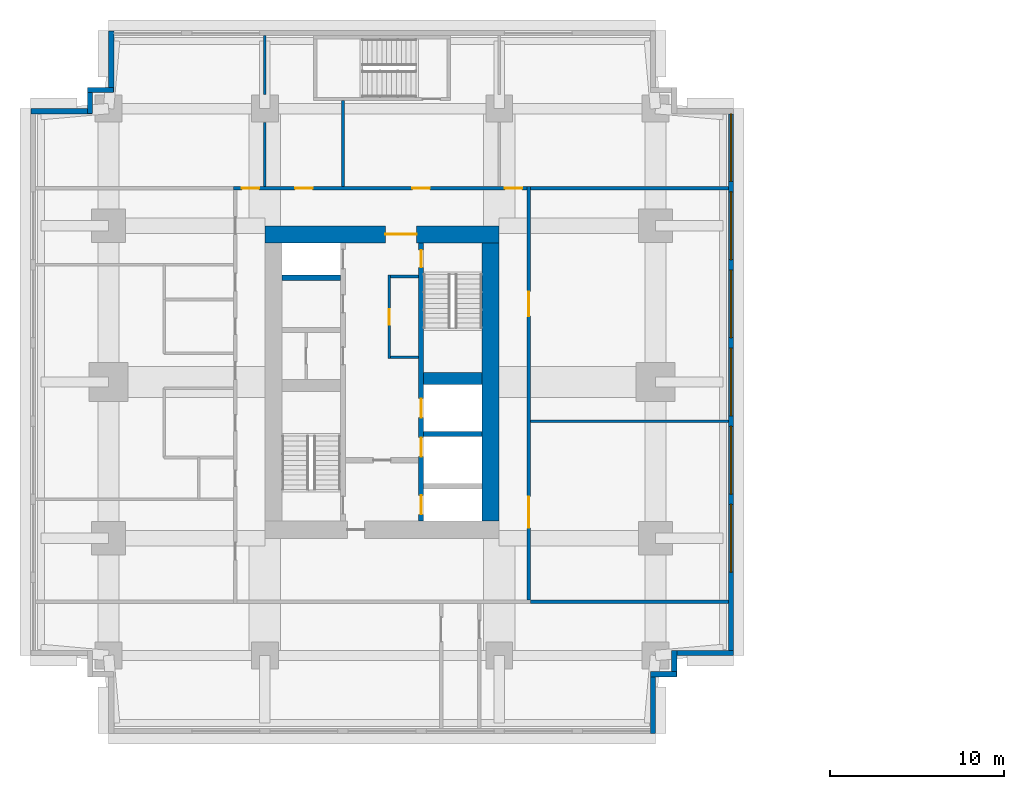
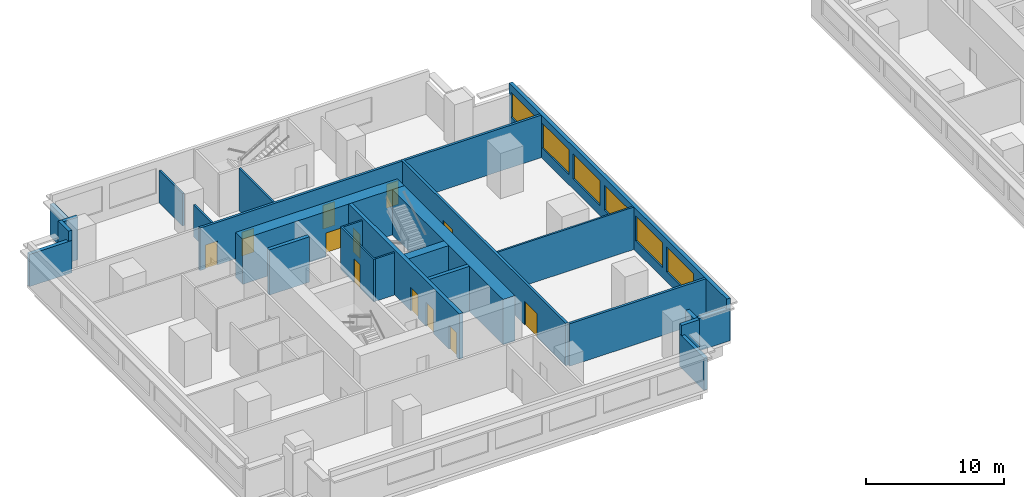
# One storey, part 4 of 11: 26 walls, 12 doors, 6 windows, 18 openings.
"""IFC4 building model written with IfcOpenShell, lengths in metres."""

import ifcopenshell
import ifcopenshell.guid

model = None  # the IFC model being written
_history = None  # IfcOwnerHistory: only IFC2X3 demands one
_inside = {}  # id of a spatial element -> (the spatial element, [elements in it])
_under = {}  # id of a project, library or spatial element -> (it, [spatial elements below it])
_declared = {}  # id of a project -> (the project, [libraries it declares])
_typed = {}  # id of a type object -> (the type object, [elements of that type])
_made_of = {}  # id of a material, layer set ... -> (it, [elements and type objects made of it])


def new_model(schema):
    """Start an empty IFC model of exactly this schema.

    Asked for "IFC4X3", IfcOpenShell would pick the latest addendum, in which some entities
    have other attributes; the version numbers below select the first issue.
    IFC2X3 requires an IfcOwnerHistory on every rooted entity: one is made here for all.
    """
    global model, _history
    if schema == "IFC4X3":
        model = ifcopenshell.file(schema_version=(4, 3, 0, 0))
    else:
        model = ifcopenshell.file(schema=schema)
    _inside.clear()
    _under.clear()
    _declared.clear()
    _typed.clear()
    _made_of.clear()
    _history = None
    if model.schema == "IFC2X3":
        org = make("IfcOrganization", Name="unknown")
        user = make(
            "IfcPersonAndOrganization",
            ThePerson=make("IfcPerson", FamilyName="unknown"),
            TheOrganization=org,
        )
        app = make(
            "IfcApplication",
            ApplicationDeveloper=org,
            Version="unknown",
            ApplicationFullName="unknown",
            ApplicationIdentifier="unknown",
        )
        _history = make(
            "IfcOwnerHistory",
            OwningUser=user,
            OwningApplication=app,
            ChangeAction="ADDED",
            CreationDate=0,
        )
    return model


def make(cls, **values):
    """One entity of the class cls with the attributes given. An attribute that is None is left unset."""
    return model.create_entity(
        cls, **{name: value for name, value in values.items() if value is not None}
    )


def rooted(cls, **values):
    """An entity with a GlobalId (a new one), such as an element, a storey or a relation."""
    return make(cls, GlobalId=ifcopenshell.guid.new(), OwnerHistory=_history, **values)


def si_unit(unit_type, name, prefix=None):
    """IfcSIUnit, for example si_unit("LENGTHUNIT", "METRE", prefix="MILLI")."""
    return make("IfcSIUnit", UnitType=unit_type, Prefix=prefix, Name=name)


def assignment(units):
    """IfcUnitAssignment: the units of a project."""
    return None if units is None else make("IfcUnitAssignment", Units=units)


def point(xyz):
    """IfcCartesianPoint."""
    return None if xyz is None else make("IfcCartesianPoint", Coordinates=xyz)


def direction(xyz):
    """IfcDirection."""
    return None if xyz is None else make("IfcDirection", DirectionRatios=xyz)


def frame(location, z_axis=None, x_axis=None):
    """IfcAxis2Placement3D, a coordinate frame: its origin and axes. An axis left out is left unset."""
    return make(
        "IfcAxis2Placement3D",
        Location=point(location),
        Axis=direction(z_axis),
        RefDirection=direction(x_axis),
    )


def frame_2d(location, x_axis=None):
    """IfcAxis2Placement2D, a coordinate frame in the plane: its origin and x axis."""
    return make(
        "IfcAxis2Placement2D", Location=point(location), RefDirection=direction(x_axis)
    )


def origin():
    """The frame at (0, 0, 0) with its axes left unset."""
    return frame((0.0, 0.0, 0.0))


def place(relative_to, where):
    """IfcLocalPlacement: puts the frame where relative to a parent placement (None: the world)."""
    return make(
        "IfcLocalPlacement", PlacementRelTo=relative_to, RelativePlacement=where
    )


def context(
    kind, dimensions, precision=None, world=None, true_north=None, identifier=None
):
    """IfcGeometricRepresentationContext, for example the 3D "Model" context."""
    return make(
        "IfcGeometricRepresentationContext",
        ContextIdentifier=identifier,
        ContextType=kind,
        CoordinateSpaceDimension=dimensions,
        Precision=precision,
        WorldCoordinateSystem=world,
        TrueNorth=true_north,
    )


def subcontext(parent, identifier, kind, view, scale=None):
    """IfcGeometricRepresentationSubContext, for example "Body" below "Model"."""
    return make(
        "IfcGeometricRepresentationSubContext",
        ContextIdentifier=identifier,
        ContextType=kind,
        ParentContext=parent,
        TargetScale=scale,
        TargetView=view,
    )


def project(units=None, contexts=None):
    """IfcProject with its units and contexts."""
    return rooted(
        "IfcProject",
        Name="project",
        RepresentationContexts=contexts,
        UnitsInContext=assignment(units),
    )


def spatial(cls, under=None, at=None, **own):
    """A site, building, storey or space (cls), placed at a placement, below another one or the project."""
    s = rooted(cls, ObjectPlacement=at, **own)
    if under is not None:
        _under.setdefault(under.id(), (under, []))[1].append(s)
    return s


def profile(cls, at=None, kind="AREA", **sizes):
    """A parametric profile (cls). Its sizes go by their IFC names, for example OverallWidth=200.0."""
    return make(cls, ProfileType=kind, Position=at, **sizes)


def rectangle(**sizes):
    """IfcRectangleProfileDef."""
    return profile("IfcRectangleProfileDef", **sizes)


def extrude(swept, where, along, depth):
    """IfcExtrudedAreaSolid: the profile swept, set in the frame where, extruded along a direction by depth."""
    return make(
        "IfcExtrudedAreaSolid",
        SweptArea=swept,
        Position=where,
        ExtrudedDirection=direction(along),
        Depth=depth,
    )


def shape(context_of_items, identifier, shape_type, items):
    """IfcShapeRepresentation: the items that make up one representation, for example the "Body"."""
    return make(
        "IfcShapeRepresentation",
        ContextOfItems=context_of_items,
        RepresentationIdentifier=identifier,
        RepresentationType=shape_type,
        Items=items,
    )


def material(Name=None, Category=None):
    """IfcMaterial."""
    return make("IfcMaterial", Name=Name, Category=Category)


def layer(
    of_material, thickness, ventilated=None, Name=None, Category=None, Priority=None
):
    """IfcMaterialLayer: one layer of a wall or slab, of a material (None: an air gap)."""
    return make(
        "IfcMaterialLayer",
        Material=of_material,
        LayerThickness=thickness,
        IsVentilated=ventilated,
        Name=Name,
        Category=Category,
        Priority=Priority,
    )


def layer_set(layers, Name=None):
    """IfcMaterialLayerSet."""
    return make("IfcMaterialLayerSet", MaterialLayers=layers, LayerSetName=Name)


def made_of(thing, what):
    """Note that an element or type object is made of a material, layer set ...; save() writes the relation."""
    if what is not None:
        _made_of.setdefault(what.id(), (what, []))[1].append(thing)
    return thing


def type_object(cls, material=None, **own):
    """A type object (cls), such as IfcWallType, which elements share."""
    return made_of(rooted(cls, **own), material)


def element(
    cls,
    number,
    at=None,
    inside=None,
    cuts=None,
    type_object=None,
    material=None,
    context=None,
    identifier="Body",
    shape_type=None,
    held_by="IfcProductDefinitionShape",
    body=None,
    shapes=None,
    **own,
):
    """One element of the class cls, such as IfcWall. Its Tag is "e" and its number.

    at: its placement. inside: the storey or other place that contains it. cuts: it is an
    opening in that element (IfcRelVoidsElement). A single representation is given by context,
    identifier, shape_type and body (its items); several are given by shapes. held_by: the class
    of the entity that holds the representations. save() writes the other relations.
    """
    e = rooted(cls, Tag="e%d" % number, ObjectPlacement=at, **own)
    if body is not None:
        shapes = [shape(context, identifier, shape_type, body)]
    if shapes is not None:
        e.Representation = make(held_by, Representations=shapes)
    if inside is not None:
        _inside.setdefault(inside.id(), (inside, []))[1].append(e)
    if cuts is not None:
        rooted(
            "IfcRelVoidsElement", RelatingBuildingElement=cuts, RelatedOpeningElement=e
        )
    if type_object is not None:
        _typed.setdefault(type_object.id(), (type_object, []))[1].append(e)
    return made_of(e, material)


def fill(opening, filler):
    """IfcRelFillsElement: the door or window that sits in an opening."""
    return rooted(
        "IfcRelFillsElement",
        RelatingOpeningElement=opening,
        RelatedBuildingElement=filler,
    )


def aggregate(whole, parts):
    """IfcRelAggregates: a whole, such as a stair, and the parts it consists of."""
    return rooted("IfcRelAggregates", RelatingObject=whole, RelatedObjects=parts)


def save(model, path):
    """Write the relations noted so far, then the file.

    IfcRelAggregates (storeys below a building ...), IfcRelContainedInSpatialStructure (elements
    in a storey), IfcRelDefinesByType, IfcRelAssociatesMaterial and IfcRelDeclares: one each for
    every whole, place, type object, material and project.
    """
    for whole, parts in _under.values():
        aggregate(whole, parts)
    for where, things in _inside.values():
        rooted(
            "IfcRelContainedInSpatialStructure",
            RelatedElements=things,
            RelatingStructure=where,
        )
    for kind, things in _typed.values():
        rooted("IfcRelDefinesByType", RelatedObjects=things, RelatingType=kind)
    for what, things in _made_of.values():
        rooted("IfcRelAssociatesMaterial", RelatedObjects=things, RelatingMaterial=what)
    for by, libraries in _declared.values():
        rooted("IfcRelDeclares", RelatingContext=by, RelatedDefinitions=libraries)
    model.write(path)


model = new_model("IFC4")

# Units and contexts
model_context = context("Model", 3, precision=1e-05, world=origin(), true_north=direction((0.0, 1.0)))
body_context = subcontext(model_context, "Body", "Model", "MODEL_VIEW")
ifc_project = project(units=[si_unit("LENGTHUNIT", "METRE"), si_unit("AREAUNIT", "SQUARE_METRE"), si_unit("VOLUMEUNIT", "CUBIC_METRE"), si_unit("PLANEANGLEUNIT", "RADIAN"), si_unit("MASSUNIT", "GRAM", prefix="KILO")], contexts=[model_context])

# Site, building, storey
site_placement = place(None, origin())
site = spatial("IfcSite", under=ifc_project, at=site_placement, CompositionType="ELEMENT")
building_placement = place(site_placement, origin())
building = spatial("IfcBuilding", under=site, at=building_placement, Name="Namib Vertical Campus", CompositionType="ELEMENT")
storey_placement = place(building_placement, frame((0.0, 0.0, 209.0)))
storey = spatial("IfcBuildingStorey", under=building, at=storey_placement, Name="L49", CompositionType="ELEMENT", Elevation=209.0)

# Wall, openings, doors
ifc_material_1 = material(Name="Concrete C60/75", Category="concrete")
ifc_layer_1 = layer(ifc_material_1, 0.300048828125)
ifc_layer_set_1 = layer_set([ifc_layer_1], Name="Concrete C60/75")
wall_type_1 = type_object("IfcWallType", Name="Core inner wall 300", PredefinedType="SHEAR", material=ifc_layer_set_1)
wall_1_placement = place(storey_placement, frame((22.5, 12.25, 0.0), z_axis=(0.0, 0.0, 1.0), x_axis=(0.0, 1.0, 0.0)))
wall_1 = element("IfcWall", 1, at=wall_1_placement, inside=storey, type_object=wall_type_1, Name="Core inner wall A L49 W2", PredefinedType="SHEAR", context=body_context, shape_type="SweptSolid", body=[
    extrude(rectangle(XDim=16.0, YDim=0.300048828125, at=frame_2d((8.0, 0.0))), origin(), (0.0, 0.0, 1.0), 4.0),
])
opening_1_placement = place(wall_1_placement, frame((14.60009765625, 0.0, 0.0)))
opening_1 = element("IfcOpeningElement", 2, at=opening_1_placement, cuts=wall_1, Name="Opening FD1", PredefinedType="OPENING", context=body_context, shape_type="SweptSolid", body=[
    extrude(rectangle(XDim=1.0, YDim=2.10009765625, at=frame_2d((0.5, 1.050048828125))), frame((0.0, 0.159912109375, 0.0), z_axis=(0.0, -1.0, 0.0), x_axis=(1.0, 0.0, 0.0)), (0.0, 0.0, 1.0), 0.320068359375),
])
opening_2_placement = place(wall_1_placement, frame((0.375, 0.0, 0.0)))
opening_2 = element("IfcOpeningElement", 3, at=opening_2_placement, cuts=wall_1, Name="Opening LD1", PredefinedType="OPENING", context=body_context, shape_type="SweptSolid", body=[
    extrude(rectangle(XDim=1.10009765625, YDim=2.10009765625, at=frame_2d((0.550048828125, 1.050048828125))), frame((0.0, 0.159912109375, 0.0), z_axis=(0.0, -1.0, 0.0), x_axis=(1.0, 0.0, 0.0)), (0.0, 0.0, 1.0), 0.320068359375),
])
opening_3_placement = place(wall_1_placement, frame((3.699951171875, 0.0, 0.0)))
opening_3 = element("IfcOpeningElement", 4, at=opening_3_placement, cuts=wall_1, Name="Opening LD1", PredefinedType="OPENING", context=body_context, shape_type="SweptSolid", body=[
    extrude(rectangle(XDim=1.10009765625, YDim=2.10009765625, at=frame_2d((0.550048828125, 1.050048828125))), frame((0.0, 0.159912109375, 0.0), z_axis=(0.0, -1.0, 0.0), x_axis=(1.0, 0.0, 0.0)), (0.0, 0.0, 1.0), 0.320068359375),
])
opening_4_placement = place(wall_1_placement, frame((5.949951171875, 0.0, 0.0)))
opening_4 = element("IfcOpeningElement", 5, at=opening_4_placement, cuts=wall_1, Name="Opening LD1", PredefinedType="OPENING", context=body_context, shape_type="SweptSolid", body=[
    extrude(rectangle(XDim=1.10009765625, YDim=2.10009765625, at=frame_2d((0.550048828125, 1.050048828125))), frame((0.0, 0.159912109375, 0.0), z_axis=(0.0, -1.0, 0.0), x_axis=(1.0, 0.0, 0.0)), (0.0, 0.0, 1.0), 0.320068359375),
])
ifc_material_2 = material(Name="Steel fire door", Category="steel")
door_type_1 = type_object("IfcDoorType", Name="Fire door 1000x2100", OperationType="SINGLE_SWING_RIGHT", PredefinedType="DOOR", material=ifc_material_2)
door_1_placement = place(opening_1_placement, frame((1.0, 0.0, 0.0), z_axis=(0.0, 0.0, 1.0), x_axis=(-1.0, 0.0, 0.0)))
door_1 = element("IfcDoor", 6, at=door_1_placement, inside=storey, type_object=door_type_1, Name="Stair door FD1 A L49 S2", OperationType="SINGLE_SWING_LEFT", OverallHeight=2.10009765625, OverallWidth=1.0, PredefinedType="DOOR", context=body_context, shape_type="SweptSolid", body=[
    extrude(rectangle(XDim=1.0, YDim=2.10009765625, at=frame_2d((0.5, 1.050048828125))), frame((0.0, 0.02490234375, 0.0), z_axis=(0.0, -1.0, 0.0), x_axis=(1.0, 0.0, 0.0)), (0.0, 0.0, 1.0), 0.050048828125),
])
fill(opening_1, door_1)
ifc_material_3 = material(Name="Stainless steel lift door", Category="steel")
door_type_2 = type_object("IfcDoorType", Name="Lift landing door 1100x2100", OperationType="DOUBLE_DOOR_SLIDING", PredefinedType="DOOR", material=ifc_material_3)
door_2_placement = place(opening_2_placement, origin())
door_2 = element("IfcDoor", 7, at=door_2_placement, inside=storey, type_object=door_type_2, Name="Lift landing door LD1 A-FL1 L49", OperationType="DOUBLE_DOOR_SLIDING", OverallHeight=2.10009765625, OverallWidth=1.10009765625, PredefinedType="DOOR", context=body_context, shape_type="SweptSolid", body=[
    extrude(rectangle(XDim=1.10009765625, YDim=2.10009765625, at=frame_2d((0.550048828125, 1.050048828125))), frame((0.0, 0.02490234375, 0.0), z_axis=(0.0, -1.0, 0.0), x_axis=(1.0, 0.0, 0.0)), (0.0, 0.0, 1.0), 0.050048828125),
])
fill(opening_2, door_2)
door_3_placement = place(opening_3_placement, origin())
door_3 = element("IfcDoor", 8, at=door_3_placement, inside=storey, type_object=door_type_2, Name="Lift landing door LD1 A-P4 L49", OperationType="DOUBLE_DOOR_SLIDING", OverallHeight=2.10009765625, OverallWidth=1.10009765625, PredefinedType="DOOR", context=body_context, shape_type="SweptSolid", body=[
    extrude(rectangle(XDim=1.10009765625, YDim=2.10009765625, at=frame_2d((0.550048828125, 1.050048828125))), frame((0.0, 0.02490234375, 0.0), z_axis=(0.0, -1.0, 0.0), x_axis=(1.0, 0.0, 0.0)), (0.0, 0.0, 1.0), 0.050048828125),
])
fill(opening_3, door_3)
door_4_placement = place(opening_4_placement, origin())
door_4 = element("IfcDoor", 9, at=door_4_placement, inside=storey, type_object=door_type_2, Name="Lift landing door LD1 A-P5 L49", OperationType="DOUBLE_DOOR_SLIDING", OverallHeight=2.10009765625, OverallWidth=1.10009765625, PredefinedType="DOOR", context=body_context, shape_type="SweptSolid", body=[
    extrude(rectangle(XDim=1.10009765625, YDim=2.10009765625, at=frame_2d((0.550048828125, 1.050048828125))), frame((0.0, 0.02490234375, 0.0), z_axis=(0.0, -1.0, 0.0), x_axis=(1.0, 0.0, 0.0)), (0.0, 0.0, 1.0), 0.050048828125),
])
fill(opening_4, door_4)

# Walls
for number, where, z_axis, x_axis, name in (
    (10, (22.64990234375, 17.25, 0.0), (0.0, 0.0, 1.0), (1.0, 0.0, 0.0), "Core inner wall A L49 W6"),
    (11, (14.5, 26.25, 0.0), (0.0, 0.0, 1.0), (1.0, 0.0, 0.0), "Core inner wall A L49 W9"),
):
    element("IfcWall", number, at=place(storey_placement, frame(where, z_axis=z_axis, x_axis=x_axis)), inside=storey, type_object=wall_type_1, Name=name, PredefinedType="SHEAR", context=body_context, shape_type="SweptSolid", body=[
        extrude(rectangle(XDim=3.35009765625, YDim=0.300048828125, at=frame_2d((1.675048828125, 0.0))), origin(), (0.0, 0.0, 1.0), 4.0),
    ])
ifc_material_4 = material(Name="Concrete C60/75", Category="concrete")
ifc_layer_2 = layer(ifc_material_4, 0.699951171875)
ifc_layer_set_2 = layer_set([ifc_layer_2], Name="Concrete C60/75")
wall_type_2 = type_object("IfcWallType", Name="Core shear wall 700", PredefinedType="SHEAR", material=ifc_layer_set_2)
wall_2_placement = place(storey_placement, frame((22.64990234375, 20.449951171875, 0.0), z_axis=(0.0, 0.0, 1.0), x_axis=(1.0, 0.0, 0.0)))
element("IfcWall", 12, at=wall_2_placement, inside=storey, type_object=wall_type_2, Name="Core shear wall A L49 W7", PredefinedType="SHEAR", context=body_context, shape_type="SweptSolid", body=[
    extrude(rectangle(XDim=3.35009765625, YDim=0.699951171875, at=frame_2d((1.675048828125, 0.0))), origin(), (0.0, 0.0, 1.0), 4.0),
])
ifc_material_5 = material(Name="Concrete C60/75", Category="concrete")
ifc_layer_3 = layer(ifc_material_5, 1.0)
ifc_layer_set_3 = layer_set([ifc_layer_3], Name="Concrete C60/75")
wall_type_3 = type_object("IfcWallType", Name="Core wall 1000", PredefinedType="SHEAR", material=ifc_layer_set_3)
wall_3_placement = place(storey_placement, frame((26.5, 12.25, 0.0), z_axis=(0.0, 0.0, 1.0), x_axis=(0.0, 1.0, 0.0)))
element("IfcWall", 13, at=wall_3_placement, inside=storey, type_object=wall_type_3, Name="Core wall A L49 2", PredefinedType="SHEAR", context=body_context, shape_type="SweptSolid", body=[
    extrude(rectangle(XDim=16.0, YDim=1.0, at=frame_2d((8.0, 0.0))), origin(), (0.0, 0.0, 1.0), 4.0),
])

# Wall, opening, door
wall_4_placement = place(storey_placement, frame((27.0, 28.75, 0.0), z_axis=(0.0, 0.0, 1.0), x_axis=(-1.0, 0.0, 0.0)))
wall_4 = element("IfcWall", 14, at=wall_4_placement, inside=storey, type_object=wall_type_3, Name="Core wall A L49 3", PredefinedType="SHEAR", context=body_context, shape_type="SweptSolid", body=[
    extrude(rectangle(XDim=13.5, YDim=1.0, at=frame_2d((6.75, 0.0))), origin(), (0.0, 0.0, 1.0), 4.0),
])
opening_5_placement = place(wall_4_placement, frame((4.75, 0.0, 0.0)))
opening_5 = element("IfcOpeningElement", 15, at=opening_5_placement, cuts=wall_4, Name="Opening FD2", PredefinedType="OPENING", context=body_context, shape_type="SweptSolid", body=[
    extrude(rectangle(XDim=1.800048828125, YDim=2.10009765625, at=frame_2d((0.89990234375, 1.050048828125))), frame((0.0, 0.510009765625, 0.0), z_axis=(0.0, -1.0, 0.0), x_axis=(1.0, 0.0, 0.0)), (0.0, 0.0, 1.0), 1.02001953125),
])
ifc_material_6 = material(Name="Steel fire door", Category="steel")
door_type_3 = type_object("IfcDoorType", Name="Fire door double 1800x2100", OperationType="DOUBLE_DOOR_SINGLE_SWING", PredefinedType="DOOR", material=ifc_material_6)
door_5_placement = place(opening_5_placement, origin())
door_5 = element("IfcDoor", 16, at=door_5_placement, inside=storey, type_object=door_type_3, Name="Lift lobby door FD2 A L49", OperationType="DOUBLE_DOOR_SINGLE_SWING", OverallHeight=2.10009765625, OverallWidth=1.800048828125, PredefinedType="DOOR", context=body_context, shape_type="SweptSolid", body=[
    extrude(rectangle(XDim=1.800048828125, YDim=2.10009765625, at=frame_2d((0.89990234375, 1.050048828125))), frame((0.0, 0.02490234375, 0.0), z_axis=(0.0, -1.0, 0.0), x_axis=(1.0, 0.0, 0.0)), (0.0, 0.0, 1.0), 0.050048828125),
])
fill(opening_5, door_5)

# Wall, openings, doors
ifc_material_7 = material(Name="Concrete masonry", Category="masonry")
ifc_layer_4 = layer(ifc_material_7, 0.199951171875)
ifc_layer_set_4 = layer_set([ifc_layer_4], Name="Corridor wall 200")
wall_type_4 = type_object("IfcWallType", Name="Corridor wall 200", PredefinedType="SOLIDWALL", material=ifc_layer_set_4)
wall_5_placement = place(storey_placement, frame((28.699951171875, 7.699951171875, 0.0), z_axis=(0.0, 0.0, 1.0), x_axis=(0.0, 1.0, 0.0)))
wall_5 = element("IfcWall", 17, at=wall_5_placement, inside=storey, type_object=wall_type_4, Name="Corridor wall A L49 CE", PredefinedType="SOLIDWALL", context=body_context, shape_type="SweptSolid", body=[
    extrude(rectangle(XDim=23.800048828125, YDim=0.199951171875, at=frame_2d((11.89990234375, 0.0))), origin(), (0.0, 0.0, 1.0), 3.75),
])
opening_6_placement = place(wall_5_placement, frame((4.14990234375, 0.0, 0.0)))
opening_6 = element("IfcOpeningElement", 18, at=opening_6_placement, cuts=wall_5, Name="Opening CD2", PredefinedType="OPENING", context=body_context, shape_type="SweptSolid", body=[
    extrude(rectangle(XDim=1.800048828125, YDim=2.10009765625, at=frame_2d((0.89990234375, 1.050048828125))), frame((0.0, 0.10986328125, 0.0), z_axis=(0.0, -1.0, 0.0), x_axis=(1.0, 0.0, 0.0)), (0.0, 0.0, 1.0), 0.219970703125),
])
opening_7_placement = place(wall_5_placement, frame((16.35009765625, 0.0, 0.0)))
opening_7 = element("IfcOpeningElement", 19, at=opening_7_placement, cuts=wall_5, Name="Opening LB1", PredefinedType="OPENING", context=body_context, shape_type="SweptSolid", body=[
    extrude(rectangle(XDim=1.39990234375, YDim=2.10009765625, at=frame_2d((0.699951171875, 1.050048828125))), frame((0.0, 0.10986328125, 0.0), z_axis=(0.0, -1.0, 0.0), x_axis=(1.0, 0.0, 0.0)), (0.0, 0.0, 1.0), 0.219970703125),
])
ifc_material_8 = material(Name="Timber fire door leaf", Category="wood")
door_type_4 = type_object("IfcDoorType", Name="Corridor door double 1800x2100 20 min", OperationType="DOUBLE_DOOR_SINGLE_SWING", PredefinedType="DOOR", material=ifc_material_8)
door_6_placement = place(opening_6_placement, frame((1.800048828125, 0.0, 0.0), z_axis=(0.0, 0.0, 1.0), x_axis=(-1.0, 0.0, 0.0)))
door_6 = element("IfcDoor", 20, at=door_6_placement, inside=storey, type_object=door_type_4, Name="Door CD2 A49-03", OperationType="DOUBLE_DOOR_SINGLE_SWING", OverallHeight=2.10009765625, OverallWidth=1.800048828125, PredefinedType="DOOR", context=body_context, shape_type="SweptSolid", body=[
    extrude(rectangle(XDim=1.800048828125, YDim=2.10009765625, at=frame_2d((0.89990234375, 1.050048828125))), frame((0.0, 0.02490234375, 0.0), z_axis=(0.0, -1.0, 0.0), x_axis=(1.0, 0.0, 0.0)), (0.0, 0.0, 1.0), 0.050048828125),
])
fill(opening_6, door_6)
ifc_material_9 = material(Name="Timber fire door leaf", Category="wood")
door_type_5 = type_object("IfcDoorType", Name="Laboratory door 1400x2100 leaf and a half", OperationType="DOUBLE_DOOR_SINGLE_SWING", PredefinedType="DOOR", material=ifc_material_9)
door_7_placement = place(opening_7_placement, frame((1.39990234375, 0.0, 0.0), z_axis=(0.0, 0.0, 1.0), x_axis=(-1.0, 0.0, 0.0)))
door_7 = element("IfcDoor", 21, at=door_7_placement, inside=storey, type_object=door_type_5, Name="Door LB1 A49-04", OperationType="DOUBLE_DOOR_SINGLE_SWING", OverallHeight=2.10009765625, OverallWidth=1.39990234375, PredefinedType="DOOR", context=body_context, shape_type="SweptSolid", body=[
    extrude(rectangle(XDim=1.39990234375, YDim=2.10009765625, at=frame_2d((0.699951171875, 1.050048828125))), frame((0.0, 0.02490234375, 0.0), z_axis=(0.0, -1.0, 0.0), x_axis=(1.0, 0.0, 0.0)), (0.0, 0.0, 1.0), 0.050048828125),
])
fill(opening_7, door_7)

wall_6_placement = place(storey_placement, frame((28.60009765625, 31.39990234375, 0.0), z_axis=(0.0, 0.0, 1.0), x_axis=(-1.0, 0.0, 0.0)))
wall_6 = element("IfcWall", 22, at=wall_6_placement, inside=storey, type_object=wall_type_4, Name="Corridor wall A L49 CN", PredefinedType="SOLIDWALL", context=body_context, shape_type="SweptSolid", body=[
    extrude(rectangle(XDim=16.900146484375, YDim=0.199951171875, at=frame_2d((8.4501953125, 0.0))), origin(), (0.0, 0.0, 1.0), 3.75),
])
opening_8_placement = place(wall_6_placement, frame((15.425048828125, 0.0, 0.0)))
opening_8 = element("IfcOpeningElement", 23, at=opening_8_placement, cuts=wall_6, Name="Opening CD1", PredefinedType="OPENING", context=body_context, shape_type="SweptSolid", body=[
    extrude(rectangle(XDim=1.0, YDim=2.10009765625, at=frame_2d((0.5, 1.050048828125))), frame((0.0, 0.10986328125, 0.0), z_axis=(0.0, -1.0, 0.0), x_axis=(1.0, 0.0, 0.0)), (0.0, 0.0, 1.0), 0.219970703125),
])
opening_9_placement = place(wall_6_placement, frame((12.35009765625, 0.0, 0.0)))
opening_9 = element("IfcOpeningElement", 24, at=opening_9_placement, cuts=wall_6, Name="Opening CD1", PredefinedType="OPENING", context=body_context, shape_type="SweptSolid", body=[
    extrude(rectangle(XDim=1.0, YDim=2.10009765625, at=frame_2d((0.5, 1.050048828125))), frame((0.0, 0.10986328125, 0.0), z_axis=(0.0, -1.0, 0.0), x_axis=(1.0, 0.0, 0.0)), (0.0, 0.0, 1.0), 0.219970703125),
])
opening_10_placement = place(wall_6_placement, frame((5.60009765625, 0.0, 0.0)))
opening_10 = element("IfcOpeningElement", 25, at=opening_10_placement, cuts=wall_6, Name="Opening CD4", PredefinedType="OPENING", context=body_context, shape_type="SweptSolid", body=[
    extrude(rectangle(XDim=1.0, YDim=2.10009765625, at=frame_2d((0.5, 1.050048828125))), frame((0.0, 0.10986328125, 0.0), z_axis=(0.0, -1.0, 0.0), x_axis=(1.0, 0.0, 0.0)), (0.0, 0.0, 1.0), 0.219970703125),
])
opening_11_placement = place(wall_6_placement, frame((0.27490234375, 0.0, 0.0)))
opening_11 = element("IfcOpeningElement", 26, at=opening_11_placement, cuts=wall_6, Name="Opening CD1", PredefinedType="OPENING", context=body_context, shape_type="SweptSolid", body=[
    extrude(rectangle(XDim=1.0, YDim=2.10009765625, at=frame_2d((0.5, 1.050048828125))), frame((0.0, 0.10986328125, 0.0), z_axis=(0.0, -1.0, 0.0), x_axis=(1.0, 0.0, 0.0)), (0.0, 0.0, 1.0), 0.219970703125),
])
ifc_material_10 = material(Name="Timber fire door leaf", Category="wood")
door_type_6 = type_object("IfcDoorType", Name="Corridor door 1000x2100 20 min", OperationType="SINGLE_SWING_LEFT", PredefinedType="DOOR", material=ifc_material_10)
door_8_placement = place(opening_8_placement, frame((1.0, 0.0, 0.0), z_axis=(0.0, 0.0, 1.0), x_axis=(-1.0, 0.0, 0.0)))
door_8 = element("IfcDoor", 27, at=door_8_placement, inside=storey, type_object=door_type_6, Name="Door CD1 A49-05", OperationType="SINGLE_SWING_RIGHT", OverallHeight=2.10009765625, OverallWidth=1.0, PredefinedType="DOOR", context=body_context, shape_type="SweptSolid", body=[
    extrude(rectangle(XDim=1.0, YDim=2.10009765625, at=frame_2d((0.5, 1.050048828125))), frame((0.0, 0.02490234375, 0.0), z_axis=(0.0, -1.0, 0.0), x_axis=(1.0, 0.0, 0.0)), (0.0, 0.0, 1.0), 0.050048828125),
])
fill(opening_8, door_8)
door_9_placement = place(opening_9_placement, frame((1.0, 0.0, 0.0), z_axis=(0.0, 0.0, 1.0), x_axis=(-1.0, 0.0, 0.0)))
door_9 = element("IfcDoor", 28, at=door_9_placement, inside=storey, type_object=door_type_6, Name="Door CD1 A49-06", OperationType="SINGLE_SWING_RIGHT", OverallHeight=2.10009765625, OverallWidth=1.0, PredefinedType="DOOR", context=body_context, shape_type="SweptSolid", body=[
    extrude(rectangle(XDim=1.0, YDim=2.10009765625, at=frame_2d((0.5, 1.050048828125))), frame((0.0, 0.02490234375, 0.0), z_axis=(0.0, -1.0, 0.0), x_axis=(1.0, 0.0, 0.0)), (0.0, 0.0, 1.0), 0.050048828125),
])
fill(opening_9, door_9)
door_10_placement = place(opening_11_placement, frame((1.0, 0.0, 0.0), z_axis=(0.0, 0.0, 1.0), x_axis=(-1.0, 0.0, 0.0)))
door_10 = element("IfcDoor", 29, at=door_10_placement, inside=storey, type_object=door_type_6, Name="Door CD1 A49-08", OperationType="SINGLE_SWING_LEFT", OverallHeight=2.10009765625, OverallWidth=1.0, PredefinedType="DOOR", context=body_context, shape_type="SweptSolid", body=[
    extrude(rectangle(XDim=1.0, YDim=2.10009765625, at=frame_2d((0.5, 1.050048828125))), frame((0.0, 0.02490234375, 0.0), z_axis=(0.0, -1.0, 0.0), x_axis=(1.0, 0.0, 0.0)), (0.0, 0.0, 1.0), 0.050048828125),
])
fill(opening_11, door_10)
ifc_material_11 = material(Name="Timber fire door leaf", Category="wood")
door_type_7 = type_object("IfcDoorType", Name="Corridor door 1000x2100 20 min double-acting", OperationType="DOUBLE_SWING_LEFT", PredefinedType="DOOR", material=ifc_material_11)
door_11_placement = place(opening_10_placement, origin())
door_11 = element("IfcDoor", 30, at=door_11_placement, inside=storey, type_object=door_type_7, Name="Door CD4 A49-07", OperationType="DOUBLE_SWING_LEFT", OverallHeight=2.10009765625, OverallWidth=1.0, PredefinedType="DOOR", context=body_context, shape_type="SweptSolid", body=[
    extrude(rectangle(XDim=1.0, YDim=2.10009765625, at=frame_2d((0.5, 1.050048828125))), frame((0.0, 0.02490234375, 0.0), z_axis=(0.0, -1.0, 0.0), x_axis=(1.0, 0.0, 0.0)), (0.0, 0.0, 1.0), 0.050048828125),
])
fill(opening_10, door_11)

# Walls
for number, where, z_axis, x_axis, name in (
    (31, (28.800048828125, 7.60009765625, 0.0), (0.0, 0.0, 1.0), (1.0, 0.0, 0.0), "Partition A L49 BSE"),
    (32, (28.800048828125, 31.39990234375, 0.0), (0.0, 0.0, 1.0), (1.0, 0.0, 0.0), "Partition A L49 BNE"),
):
    element("IfcWall", number, at=place(storey_placement, frame(where, z_axis=z_axis, x_axis=x_axis)), inside=storey, type_object=wall_type_4, Name=name, PredefinedType="SOLIDWALL", context=body_context, shape_type="SweptSolid", body=[
        extrude(rectangle(XDim=11.39990234375, YDim=0.199951171875, at=frame_2d((5.699951171875, 0.0))), origin(), (0.0, 0.0, 1.0), 3.75),
    ])
ifc_material_12 = material(Name="Concrete C40/50", Category="concrete")
ifc_layer_5 = layer(ifc_material_12, 0.300048828125)
ifc_layer_set_5 = layer_set([ifc_layer_5], Name="Concrete C40/50")
wall_type_5 = type_object("IfcWallType", Name="External wall 300 board-marked concrete", PredefinedType="STANDARD", material=ifc_layer_set_5)
wall_7_placement = place(storey_placement, frame((35.85009765625, 0.02001953125, 0.0), z_axis=(0.0, 0.0, 1.0), x_axis=(0.0, 1.0, 0.0)))
element("IfcWall", 33, at=wall_7_placement, inside=storey, type_object=wall_type_5, Name="External wall L49 F02", PredefinedType="STANDARD", context=body_context, shape_type="SweptSolid", body=[
    extrude(rectangle(XDim=3.534912109375, YDim=0.300048828125, at=frame_2d((1.767578125, 0.0))), origin(), (0.0, 0.0, 1.0), 2.85009765625),
])
for number, where, z_axis, x_axis, name in (
    (34, (35.719970703125, 3.425048828125, 0.0), (0.0, 0.0, 1.0), (1.0, 0.0, 0.0), "External wall L49 F03"),
    (35, (37.074951171875, 3.294921875, 0.0), (0.0, 0.0, 1.0), (0.0, 1.0, 0.0), "External wall L49 F04"),
):
    element("IfcWall", number, at=place(storey_placement, frame(where, z_axis=z_axis, x_axis=x_axis)), inside=storey, type_object=wall_type_5, Name=name, PredefinedType="STANDARD", context=body_context, shape_type="SweptSolid", body=[
        extrude(rectangle(XDim=1.485107421875, YDim=0.300048828125, at=frame_2d((0.74267578125, 0.0))), origin(), (0.0, 0.0, 1.0), 3.75),
    ])
wall_8_placement = place(storey_placement, frame((36.945068359375, 4.64990234375, 0.0), z_axis=(0.0, 0.0, 1.0), x_axis=(1.0, 0.0, 0.0)))
element("IfcWall", 36, at=wall_8_placement, inside=storey, type_object=wall_type_5, Name="External wall L49 F05", PredefinedType="STANDARD", context=body_context, shape_type="SweptSolid", body=[
    extrude(rectangle(XDim=3.534912109375, YDim=0.300048828125, at=frame_2d((1.767578125, 0.0))), origin(), (0.0, 0.0, 1.0), 2.85009765625),
])

# Wall, openings, windows
wall_9_placement = place(storey_placement, frame((40.35009765625, 4.52001953125, 0.0), z_axis=(0.0, 0.0, 1.0), x_axis=(0.0, 1.0, 0.0)))
wall_9 = element("IfcWall", 37, at=wall_9_placement, inside=storey, type_object=wall_type_5, Name="External wall L49 F06", PredefinedType="STANDARD", context=body_context, shape_type="SweptSolid", body=[
    extrude(rectangle(XDim=31.4599609375, YDim=0.300048828125, at=frame_2d((15.72998046875, 0.0))), origin(), (0.0, 0.0, 1.0), 3.75),
])
opening_12_placement = place(wall_9_placement, frame((4.780029296875, 0.0, 0.89990234375)))
opening_12 = element("IfcOpeningElement", 38, at=opening_12_placement, cuts=wall_9, Name="Opening W1", PredefinedType="OPENING", context=body_context, shape_type="SweptSolid", body=[
    extrude(rectangle(XDim=3.89990234375, YDim=2.199951171875, at=frame_2d((1.949951171875, 1.10009765625))), frame((0.0, 0.159912109375, 0.0), z_axis=(0.0, -1.0, 0.0), x_axis=(1.0, 0.0, 0.0)), (0.0, 0.0, 1.0), 0.320068359375),
])
opening_13_placement = place(wall_9_placement, frame((9.280029296875, 0.0, 0.89990234375)))
opening_13 = element("IfcOpeningElement", 39, at=opening_13_placement, cuts=wall_9, Name="Opening W1", PredefinedType="OPENING", context=body_context, shape_type="SweptSolid", body=[
    extrude(rectangle(XDim=3.89990234375, YDim=2.199951171875, at=frame_2d((1.949951171875, 1.10009765625))), frame((0.0, 0.159912109375, 0.0), z_axis=(0.0, -1.0, 0.0), x_axis=(1.0, 0.0, 0.0)), (0.0, 0.0, 1.0), 0.320068359375),
])
opening_14_placement = place(wall_9_placement, frame((13.780029296875, 0.0, 0.89990234375)))
opening_14 = element("IfcOpeningElement", 40, at=opening_14_placement, cuts=wall_9, Name="Opening W1", PredefinedType="OPENING", context=body_context, shape_type="SweptSolid", body=[
    extrude(rectangle(XDim=3.89990234375, YDim=2.199951171875, at=frame_2d((1.949951171875, 1.10009765625))), frame((0.0, 0.159912109375, 0.0), z_axis=(0.0, -1.0, 0.0), x_axis=(1.0, 0.0, 0.0)), (0.0, 0.0, 1.0), 0.320068359375),
])
opening_15_placement = place(wall_9_placement, frame((18.280029296875, 0.0, 0.89990234375)))
opening_15 = element("IfcOpeningElement", 41, at=opening_15_placement, cuts=wall_9, Name="Opening W1", PredefinedType="OPENING", context=body_context, shape_type="SweptSolid", body=[
    extrude(rectangle(XDim=3.89990234375, YDim=2.199951171875, at=frame_2d((1.949951171875, 1.10009765625))), frame((0.0, 0.159912109375, 0.0), z_axis=(0.0, -1.0, 0.0), x_axis=(1.0, 0.0, 0.0)), (0.0, 0.0, 1.0), 0.320068359375),
])
opening_16_placement = place(wall_9_placement, frame((22.780029296875, 0.0, 0.89990234375)))
opening_16 = element("IfcOpeningElement", 42, at=opening_16_placement, cuts=wall_9, Name="Opening W1", PredefinedType="OPENING", context=body_context, shape_type="SweptSolid", body=[
    extrude(rectangle(XDim=3.89990234375, YDim=2.199951171875, at=frame_2d((1.949951171875, 1.10009765625))), frame((0.0, 0.159912109375, 0.0), z_axis=(0.0, -1.0, 0.0), x_axis=(1.0, 0.0, 0.0)), (0.0, 0.0, 1.0), 0.320068359375),
])
opening_17_placement = place(wall_9_placement, frame((27.280029296875, 0.0, 0.89990234375)))
opening_17 = element("IfcOpeningElement", 43, at=opening_17_placement, cuts=wall_9, Name="Opening W1", PredefinedType="OPENING", context=body_context, shape_type="SweptSolid", body=[
    extrude(rectangle(XDim=3.89990234375, YDim=2.199951171875, at=frame_2d((1.949951171875, 1.10009765625))), frame((0.0, 0.159912109375, 0.0), z_axis=(0.0, -1.0, 0.0), x_axis=(1.0, 0.0, 0.0)), (0.0, 0.0, 1.0), 0.320068359375),
])
ifc_material_13 = material(Name="Dark tinted glass in black aluminium frame", Category="aluminium")
window_type = type_object("IfcWindowType", Name="Ribbon window 3900x2200", PartitioningType="SINGLE_PANEL", PredefinedType="WINDOW", material=ifc_material_13)
window_1_placement = place(opening_12_placement, origin())
window_1 = element("IfcWindow", 44, at=window_1_placement, inside=storey, type_object=window_type, Name="Window W1 L49 F06-2", OverallHeight=2.199951171875, OverallWidth=3.89990234375, PartitioningType="SINGLE_PANEL", PredefinedType="WINDOW", context=body_context, shape_type="SweptSolid", body=[
    extrude(rectangle(XDim=3.89990234375, YDim=2.199951171875, at=frame_2d((1.949951171875, 1.10009765625))), frame((0.0, 0.030029296875, 0.0), z_axis=(0.0, -1.0, 0.0), x_axis=(1.0, 0.0, 0.0)), (0.0, 0.0, 1.0), 0.06005859375),
])
fill(opening_12, window_1)
window_2_placement = place(opening_13_placement, origin())
window_2 = element("IfcWindow", 45, at=window_2_placement, inside=storey, type_object=window_type, Name="Window W1 L49 F06-3", OverallHeight=2.199951171875, OverallWidth=3.89990234375, PartitioningType="SINGLE_PANEL", PredefinedType="WINDOW", context=body_context, shape_type="SweptSolid", body=[
    extrude(rectangle(XDim=3.89990234375, YDim=2.199951171875, at=frame_2d((1.949951171875, 1.10009765625))), frame((0.0, 0.030029296875, 0.0), z_axis=(0.0, -1.0, 0.0), x_axis=(1.0, 0.0, 0.0)), (0.0, 0.0, 1.0), 0.06005859375),
])
fill(opening_13, window_2)
window_3_placement = place(opening_14_placement, origin())
window_3 = element("IfcWindow", 46, at=window_3_placement, inside=storey, type_object=window_type, Name="Window W1 L49 F06-4", OverallHeight=2.199951171875, OverallWidth=3.89990234375, PartitioningType="SINGLE_PANEL", PredefinedType="WINDOW", context=body_context, shape_type="SweptSolid", body=[
    extrude(rectangle(XDim=3.89990234375, YDim=2.199951171875, at=frame_2d((1.949951171875, 1.10009765625))), frame((0.0, 0.030029296875, 0.0), z_axis=(0.0, -1.0, 0.0), x_axis=(1.0, 0.0, 0.0)), (0.0, 0.0, 1.0), 0.06005859375),
])
fill(opening_14, window_3)
window_4_placement = place(opening_15_placement, origin())
window_4 = element("IfcWindow", 47, at=window_4_placement, inside=storey, type_object=window_type, Name="Window W1 L49 F06-5", OverallHeight=2.199951171875, OverallWidth=3.89990234375, PartitioningType="SINGLE_PANEL", PredefinedType="WINDOW", context=body_context, shape_type="SweptSolid", body=[
    extrude(rectangle(XDim=3.89990234375, YDim=2.199951171875, at=frame_2d((1.949951171875, 1.10009765625))), frame((0.0, 0.030029296875, 0.0), z_axis=(0.0, -1.0, 0.0), x_axis=(1.0, 0.0, 0.0)), (0.0, 0.0, 1.0), 0.06005859375),
])
fill(opening_15, window_4)
window_5_placement = place(opening_16_placement, origin())
window_5 = element("IfcWindow", 48, at=window_5_placement, inside=storey, type_object=window_type, Name="Window W1 L49 F06-6", OverallHeight=2.199951171875, OverallWidth=3.89990234375, PartitioningType="SINGLE_PANEL", PredefinedType="WINDOW", context=body_context, shape_type="SweptSolid", body=[
    extrude(rectangle(XDim=3.89990234375, YDim=2.199951171875, at=frame_2d((1.949951171875, 1.10009765625))), frame((0.0, 0.030029296875, 0.0), z_axis=(0.0, -1.0, 0.0), x_axis=(1.0, 0.0, 0.0)), (0.0, 0.0, 1.0), 0.06005859375),
])
fill(opening_16, window_5)
window_6_placement = place(opening_17_placement, origin())
window_6 = element("IfcWindow", 49, at=window_6_placement, inside=storey, type_object=window_type, Name="Window W1 L49 F06-7", OverallHeight=2.199951171875, OverallWidth=3.89990234375, PartitioningType="SINGLE_PANEL", PredefinedType="WINDOW", context=body_context, shape_type="SweptSolid", body=[
    extrude(rectangle(XDim=3.89990234375, YDim=2.199951171875, at=frame_2d((1.949951171875, 1.10009765625))), frame((0.0, 0.030029296875, 0.0), z_axis=(0.0, -1.0, 0.0), x_axis=(1.0, 0.0, 0.0)), (0.0, 0.0, 1.0), 0.06005859375),
])
fill(opening_17, window_6)

# Walls
wall_10_placement = place(storey_placement, frame((4.64990234375, 40.47998046875, 0.0), z_axis=(0.0, 0.0, 1.0), x_axis=(0.0, -1.0, 0.0)))
element("IfcWall", 50, at=wall_10_placement, inside=storey, type_object=wall_type_5, Name="External wall L49 F12", PredefinedType="STANDARD", context=body_context, shape_type="SweptSolid", body=[
    extrude(rectangle(XDim=3.534912109375, YDim=0.300048828125, at=frame_2d((1.767578125, 0.0))), origin(), (0.0, 0.0, 1.0), 2.85009765625),
])
for number, where, z_axis, x_axis, name in (
    (51, (4.780029296875, 37.074951171875, 0.0), (0.0, 0.0, 1.0), (-1.0, 0.0, 0.0), "External wall L49 F13"),
    (52, (3.425048828125, 37.205078125, 0.0), (0.0, 0.0, 1.0), (0.0, -1.0, 0.0), "External wall L49 F14"),
):
    element("IfcWall", number, at=place(storey_placement, frame(where, z_axis=z_axis, x_axis=x_axis)), inside=storey, type_object=wall_type_5, Name=name, PredefinedType="STANDARD", context=body_context, shape_type="SweptSolid", body=[
        extrude(rectangle(XDim=1.485107421875, YDim=0.300048828125, at=frame_2d((0.74267578125, 0.0))), origin(), (0.0, 0.0, 1.0), 3.75),
    ])
wall_11_placement = place(storey_placement, frame((3.554931640625, 35.85009765625, 0.0), z_axis=(0.0, 0.0, 1.0), x_axis=(-1.0, 0.0, 0.0)))
element("IfcWall", 53, at=wall_11_placement, inside=storey, type_object=wall_type_5, Name="External wall L49 F15", PredefinedType="STANDARD", context=body_context, shape_type="SweptSolid", body=[
    extrude(rectangle(XDim=3.534912109375, YDim=0.300048828125, at=frame_2d((1.767578125, 0.0))), origin(), (0.0, 0.0, 1.0), 2.85009765625),
])

# Wall, opening, door
ifc_material_14 = material(Name="Gypsum board on steel studs", Category="steel")
ifc_layer_6 = layer(ifc_material_14, 0.14990234375)
ifc_layer_set_6 = layer_set([ifc_layer_6], Name="Gypsum board on steel studs")
wall_type_6 = type_object("IfcWallType", Name="Partition 150", PredefinedType="PARTITIONING", material=ifc_layer_set_6)
wall_12_placement = place(storey_placement, frame((20.675048828125, 21.60009765625, 0.0), z_axis=(0.0, 0.0, 1.0), x_axis=(0.0, 1.0, 0.0)))
wall_12 = element("IfcWall", 54, at=wall_12_placement, inside=storey, type_object=wall_type_6, Name="Partition A L49 Staff pantry front", PredefinedType="PARTITIONING", context=body_context, shape_type="SweptSolid", body=[
    extrude(rectangle(XDim=4.7998046875, YDim=0.14990234375, at=frame_2d((2.39990234375, 0.0))), origin(), (0.0, 0.0, 1.0), 3.75),
])
opening_18_placement = place(wall_12_placement, frame((1.949951171875, 0.0, 0.0)))
opening_18 = element("IfcOpeningElement", 55, at=opening_18_placement, cuts=wall_12, Name="Opening D3", PredefinedType="OPENING", context=body_context, shape_type="SweptSolid", body=[
    extrude(rectangle(XDim=0.89990234375, YDim=2.10009765625, at=frame_2d((0.449951171875, 1.050048828125))), frame((0.0, 0.0849609375, 0.0), z_axis=(0.0, -1.0, 0.0), x_axis=(1.0, 0.0, 0.0)), (0.0, 0.0, 1.0), 0.169921875),
])
ifc_material_15 = material(Name="Timber door leaf", Category="wood")
door_type_8 = type_object("IfcDoorType", Name="Toilet door 900x2100", OperationType="SINGLE_SWING_LEFT", PredefinedType="DOOR", material=ifc_material_15)
door_12_placement = place(opening_18_placement, frame((0.89990234375, 0.0, 0.0), z_axis=(0.0, 0.0, 1.0), x_axis=(-1.0, 0.0, 0.0)))
door_12 = element("IfcDoor", 56, at=door_12_placement, inside=storey, type_object=door_type_8, Name="Door D3 Staff pantry A L49", OperationType="SINGLE_SWING_RIGHT", OverallHeight=2.10009765625, OverallWidth=0.89990234375, PredefinedType="DOOR", context=body_context, shape_type="SweptSolid", body=[
    extrude(rectangle(XDim=0.89990234375, YDim=2.10009765625, at=frame_2d((0.449951171875, 1.050048828125))), frame((0.0, 0.02490234375, 0.0), z_axis=(0.0, -1.0, 0.0), x_axis=(1.0, 0.0, 0.0)), (0.0, 0.0, 1.0), 0.050048828125),
])
fill(opening_18, door_12)

# Walls
for number, where, z_axis, x_axis, name in (
    (57, (20.75, 21.675048828125, 0.0), (0.0, 0.0, 1.0), (1.0, 0.0, 0.0), "Partition A L49 Staff pantry end 1"),
    (58, (20.75, 26.324951171875, 0.0), (0.0, 0.0, 1.0), (1.0, 0.0, 0.0), "Partition A L49 Staff pantry end 2"),
):
    element("IfcWall", number, at=place(storey_placement, frame(where, z_axis=z_axis, x_axis=x_axis)), inside=storey, type_object=wall_type_6, Name=name, PredefinedType="PARTITIONING", context=body_context, shape_type="SweptSolid", body=[
        extrude(rectangle(XDim=1.60009765625, YDim=0.14990234375, at=frame_2d((0.800048828125, 0.0))), origin(), (0.0, 0.0, 1.0), 3.75),
    ])
wall_13_placement = place(storey_placement, frame((13.5, 31.5, 0.0), z_axis=(0.0, 0.0, 1.0), x_axis=(0.0, 1.0, 0.0)))
element("IfcWall", 59, at=wall_13_placement, inside=storey, type_object=wall_type_6, Name="Partition A L49 PN1", PredefinedType="PARTITIONING", context=body_context, shape_type="SweptSolid", body=[
    extrude(rectangle(XDim=3.705078125, YDim=0.14990234375, at=frame_2d((1.8525390625, 0.0))), origin(), (0.0, 0.0, 1.0), 2.85009765625),
])
wall_14_placement = place(storey_placement, frame((13.5, 36.794921875, 0.0), z_axis=(0.0, 0.0, 1.0), x_axis=(0.0, 1.0, 0.0)))
element("IfcWall", 60, at=wall_14_placement, inside=storey, type_object=wall_type_6, Name="Partition A L49 PN1", PredefinedType="PARTITIONING", context=body_context, shape_type="SweptSolid", body=[
    extrude(rectangle(XDim=3.405029296875, YDim=0.14990234375, at=frame_2d((1.70263671875, 0.0))), origin(), (0.0, 0.0, 1.0), 2.85009765625),
])
wall_15_placement = place(storey_placement, frame((18.0, 31.5, 0.0), z_axis=(0.0, 0.0, 1.0), x_axis=(0.0, 1.0, 0.0)))
element("IfcWall", 61, at=wall_15_placement, inside=storey, type_object=wall_type_6, Name="Partition A L49 PN2", PredefinedType="PARTITIONING", context=body_context, shape_type="SweptSolid", body=[
    extrude(rectangle(XDim=4.949951171875, YDim=0.14990234375, at=frame_2d((2.47509765625, 0.0))), origin(), (0.0, 0.0, 1.0), 3.75),
])
wall_16_placement = place(storey_placement, frame((28.800048828125, 18.0, 0.0), z_axis=(0.0, 0.0, 1.0), x_axis=(1.0, 0.0, 0.0)))
element("IfcWall", 62, at=wall_16_placement, inside=storey, type_object=wall_type_6, Name="Partition A L49 PE1", PredefinedType="PARTITIONING", context=body_context, shape_type="SweptSolid", body=[
    extrude(rectangle(XDim=11.39990234375, YDim=0.14990234375, at=frame_2d((5.699951171875, 0.0))), origin(), (0.0, 0.0, 1.0), 3.75),
])

save(model, "model.ifc")
